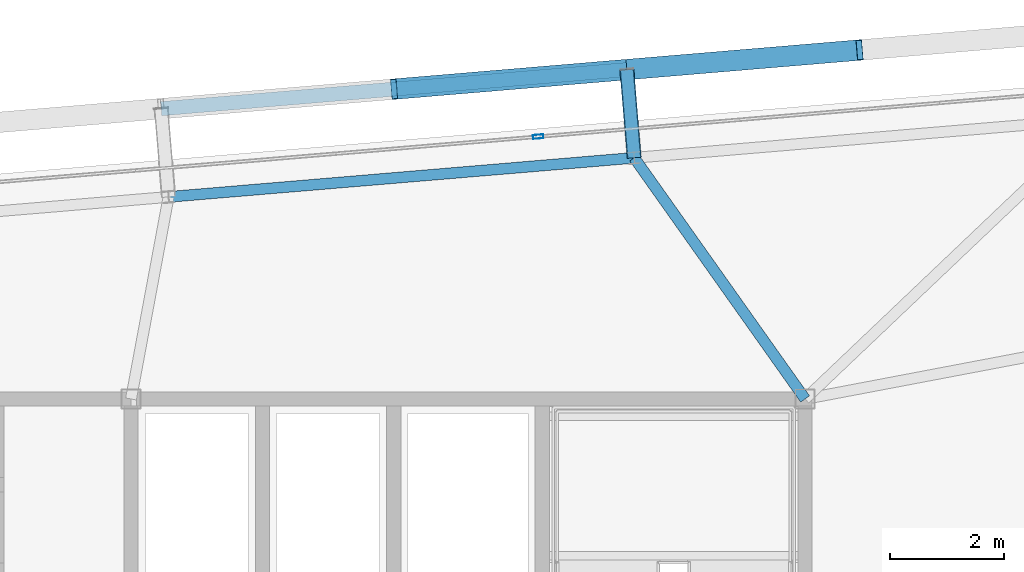
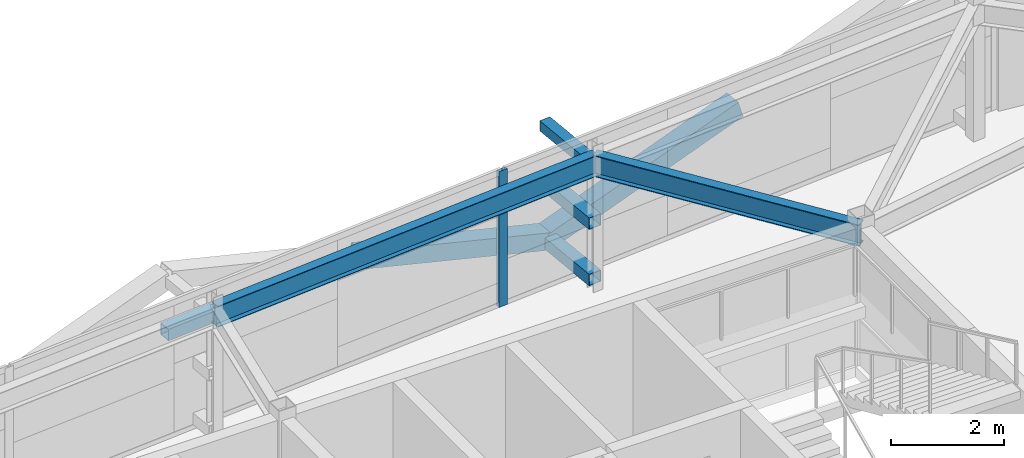
# One storey, part 24 of 39: 7 members, 2 beams, 1 element without a shape of its own.
"""IFC4 building model written with IfcOpenShell, lengths in metres."""

from ifc_helpers import new_model, si_unit, direction, frame, origin, origin_2d, place, context, subcontext, project, spatial, hollow_rectangle, i_section, extrude, source, transform, mapped, material, layer, layer_set, material_profile, profile_set, type_object, element, aggregate, save


model = new_model("IFC4")

# Units and contexts
model_context = context("Model", 3, precision=1e-05, world=origin(), true_north=direction((0.0, 1.0)))
body_context = subcontext(model_context, "Body", "Model", "MODEL_VIEW")
ifc_project = project(units=[si_unit("LENGTHUNIT", "METRE"), si_unit("AREAUNIT", "SQUARE_METRE"), si_unit("VOLUMEUNIT", "CUBIC_METRE"), si_unit("PLANEANGLEUNIT", "RADIAN"), si_unit("MASSUNIT", "GRAM", prefix="KILO")], contexts=[model_context])

# Site, building, storey
site_placement = place(None, origin())
site = spatial("IfcSite", under=ifc_project, at=site_placement, CompositionType="ELEMENT")
building_placement = place(site_placement, origin())
building = spatial("IfcBuilding", under=site, at=building_placement, Name="Taldren Reach Tower", CompositionType="ELEMENT")
storey_placement = place(building_placement, frame((0.0, 0.0, 178.85009765625)))
storey = spatial("IfcBuildingStorey", under=building, at=storey_placement, Name="L54", CompositionType="ELEMENT", Elevation=178.85009765625)

# Members
ifc_material_1 = material(Name="Steel Gr 350 (C350L0)", Category="steel")
ifc_material_profile_1 = material_profile(ifc_material_1, hollow_rectangle(XDim=0.25, YDim=0.25, WallThickness=0.010009765625, at=origin_2d()), Name="250x250x10.0SHS")
ifc_profile_set_1 = profile_set([ifc_material_profile_1], Name="Steel Gr 350 (C350L0)")
member_type_1 = type_object("IfcMemberType", Name="MB-POST250", PredefinedType="POST", material=ifc_profile_set_1)
shared_shape_1 = source(origin(), body_context, "Body", "SweptSolid", [
    extrude(hollow_rectangle(XDim=0.25, YDim=0.25, WallThickness=0.010009765625, at=origin_2d()), origin(), (0.0, 0.0, 1.0), 1.550048828125),
])
for number, where, z_axis, x_axis, name in (
    (1, (48.009033203125, 36.221435546875, 0.219970703125), (-0.083632013783, 0.996496706603, 0.0), (-0.996496706603, -0.083632013783, 0.0), "Exoskeleton base diaphragm tie strut B4-N5 L54"),
    (2, (48.009033203125, 36.221435546875, 1.434814453125), (-0.083632013783, 0.996496706603, 0.0), (-0.996496706603, -0.083632013783, 0.0), "Exoskeleton mid-tier diaphragm tie B4-N5 L54"),
):
    element("IfcMember", number, at=place(storey_placement, frame(where, z_axis=z_axis, x_axis=x_axis)), inside=storey, type_object=member_type_1, Name=name, PredefinedType="POST", context=body_context, shape_type="MappedRepresentation", body=[
        mapped(shared_shape_1, transform((0.0, 0.0, 0.0), scale=1.0)),
    ])

# Beams
ifc_material_2 = material(Name="Steel Gr 350 (350PLUS)", Category="steel")
ifc_material_profile_2 = material_profile(ifc_material_2, i_section(OverallWidth=0.18994140625, OverallDepth=0.4541015625, WebThickness=0.008544921875, FlangeThickness=0.0126953125, at=origin_2d()), Name="460UB67.1")
ifc_profile_set_2 = profile_set([ifc_material_profile_2], Name="Steel Gr 350 (350PLUS)")
beam_type_1 = type_object("IfcBeamType", Name="SP-UB460B", PredefinedType="SPANDREL", material=ifc_profile_set_2)
shared_shape_2 = source(origin(), body_context, "Body", "SweptSolid", [
    extrude(i_section(OverallWidth=0.18994140625, OverallDepth=0.4541015625, WebThickness=0.008544921875, FlangeThickness=0.0126953125, at=origin_2d()), origin(), (0.0, 0.0, 1.0), 8.179931640625),
])
beam_1_placement = place(storey_placement, frame((48.009033203125, 36.221435546875, 2.702880859375), z_axis=(-0.996494523218, -0.083658025296, 0.0), x_axis=(0.083658025296, -0.996494523218, 0.0)))
element("IfcBeam", 3, at=beam_1_placement, inside=storey, type_object=beam_type_1, Name="Perimeter spandrel B4 N5-N4 L54", PredefinedType="SPANDREL", context=body_context, shape_type="MappedRepresentation", body=[
    mapped(shared_shape_2, transform((0.0, 0.0, 0.0), scale=1.0)),
])
ifc_material_profile_3 = material_profile(ifc_material_2, i_section(OverallWidth=0.19091796875, OverallDepth=0.4599609375, WebThickness=0.010009765625, FlangeThickness=0.01611328125, at=origin_2d()), Name="460UB82.1")
ifc_profile_set_3 = profile_set([ifc_material_profile_3], Name="Steel Gr 350 (350PLUS)")
beam_type_2 = type_object("IfcBeamType", Name="BM-UB460A", PredefinedType="BEAM", material=ifc_profile_set_3)
shared_shape_3 = source(origin(), body_context, "Body", "SweptSolid", [
    extrude(i_section(OverallWidth=0.19091796875, OverallDepth=0.4599609375, WebThickness=0.010009765625, FlangeThickness=0.01611328125, at=origin_2d()), origin(), (0.0, 0.0, 1.0), 5.173583984375),
])
beam_2_placement = place(storey_placement, frame((51.0, 32.0, 2.699951171875), z_axis=(-0.578118152709, 0.8159530633, 0.0), x_axis=(-0.8159530633, -0.578118152709, 0.0)))
element("IfcBeam", 4, at=beam_2_placement, inside=storey, type_object=beam_type_2, Name="Primary floor girder B4-N5 L54", PredefinedType="BEAM", context=body_context, shape_type="MappedRepresentation", body=[
    mapped(shared_shape_3, transform((0.0, 0.0, 0.0), scale=1.0)),
])

# Members
ifc_material_3 = material(Name="Steel Gr 450 (C450L0)", Category="steel")
ifc_material_profile_4 = material_profile(ifc_material_3, hollow_rectangle(XDim=0.219970703125, YDim=0.219970703125, WallThickness=0.00830078125, at=origin_2d()), Name="220x220x8.2SHS")
ifc_profile_set_4 = profile_set([ifc_material_profile_4], Name="Steel Gr 450 (C450L0)")
member_type_2 = type_object("IfcMemberType", Name="MB-TIE219", PredefinedType="STRUT", material=ifc_profile_set_4)
shared_shape_4 = source(origin(), body_context, "Body", "SweptSolid", [
    extrude(hollow_rectangle(XDim=0.219970703125, YDim=0.219970703125, WallThickness=0.00830078125, at=origin_2d()), origin(), (0.0, 0.0, 1.0), 1.550048828125),
])
member_1_placement = place(storey_placement, frame((48.009033203125, 36.221435546875, 2.64990234375), z_axis=(-0.083632013783, 0.996496706603, 0.0), x_axis=(-0.996496706603, -0.083632013783, 0.0)))
element("IfcMember", 5, at=member_1_placement, inside=storey, type_object=member_type_2, Name="Exoskeleton diaphragm tie strut B4-N5 L54", PredefinedType="STRUT", context=body_context, shape_type="MappedRepresentation", body=[
    mapped(shared_shape_4, transform((0.0, 0.0, 0.0), scale=1.0)),
])
shared_shape_5 = source(origin(), body_context, "Body", "SweptSolid", [
    extrude(hollow_rectangle(XDim=0.25, YDim=0.25, WallThickness=0.010009765625, at=origin_2d()), origin(), (0.0, 0.0, 1.0), 8.18017578125),
])
member_2_placement = place(storey_placement, frame((39.72802734375, 37.08154296875, 1.434814453125), z_axis=(0.996492034688, 0.083687662192, 0.0), x_axis=(-0.083687662192, 0.996492034688, 0.0)))
element("IfcMember", 6, at=member_2_placement, inside=storey, type_object=member_type_1, Name="Exoskeleton mid-height ring chord B4-N4 L54", PredefinedType="POST", context=body_context, shape_type="MappedRepresentation", body=[
    mapped(shared_shape_5, transform((0.0, 0.0, 0.0), scale=1.0)),
])
ifc_material_profile_5 = material_profile(ifc_material_3, hollow_rectangle(XDim=0.360107421875, YDim=0.360107421875, WallThickness=0.0126953125, at=origin_2d()), Name="360x360x12.7SHS")
ifc_profile_set_5 = profile_set([ifc_material_profile_5], Name="Steel Gr 450 (C450L0)")
member_type_3 = type_object("IfcMemberType", Name="MB-EXO356", PredefinedType="BRACE", material=ifc_profile_set_5)
shared_shape_6 = source(origin(), body_context, "Body", "SweptSolid", [
    extrude(hollow_rectangle(XDim=0.360107421875, YDim=0.360107421875, WallThickness=0.0126953125, at=origin_2d()), origin(), (0.0, 0.0, 1.0), 4.2666015625),
])
for number, where, z_axis, x_axis, name in (
    (7, (47.87939453125, 37.76611328125, 0.219970703125), (-0.955244723646, -0.080223619417, 0.284730906006), (0.083687662192, -0.996492034688, 0.0), "Exoskeleton Diagrid Brace B4-N4 L54"),
    (8, (47.87939453125, 37.76611328125, 0.219970703125), (0.955244723646, 0.080223619417, 0.284730906006), (-0.083687662192, 0.996492034688, 0.0), "Exoskeleton Diagrid Brace B4-N5 L54"),
):
    element("IfcMember", number, at=place(storey_placement, frame(where, z_axis=z_axis, x_axis=x_axis)), inside=storey, type_object=member_type_3, Name=name, PredefinedType="BRACE", context=body_context, shape_type="MappedRepresentation", body=[
        mapped(shared_shape_6, transform((0.0, 0.0, 0.0), scale=1.0)),
    ])

# Curtain wall, member
ifc_material_4 = material(Name="Aluminium and Low-E Glass Unitised System", Category="aluminium")
ifc_layer = layer(ifc_material_4, 0.159912109375)
ifc_layer_set = layer_set([ifc_layer], Name="Aluminium and Low-E Glass Unitised System")
curtain_wall_type = type_object("IfcCurtainWallType", Name="CW-SYS-5", PredefinedType="NOTDEFINED", material=ifc_layer_set)
curtain_wall_placement = place(storey_placement, origin())
curtain_wall = element("IfcCurtainWall", 9, at=curtain_wall_placement, inside=storey, type_object=curtain_wall_type, Name="Unitised curtain wall CW-L54-N", PredefinedType="NOTDEFINED")
ifc_material_5 = material(Name="Anodised Aluminium 6063-T6", Category="aluminium")
ifc_material_profile_6 = material_profile(ifc_material_5, hollow_rectangle(XDim=0.070068359375, YDim=0.179931640625, WallThickness=0.00390625, at=origin_2d()), Name="ALU-180x70x4RHS")
ifc_profile_set_6 = profile_set([ifc_material_profile_6], Name="Anodised Aluminium 6063-T6")
member_type_4 = type_object("IfcMemberType", Name="CW-MUL-180", PredefinedType="MULLION", material=ifc_profile_set_6)
shared_shape_7 = source(origin(), body_context, "Body", "SweptSolid", [
    extrude(hollow_rectangle(XDim=0.070068359375, YDim=0.179931640625, WallThickness=0.00390625, at=origin_2d()), origin(), (0.0, 0.0, 1.0), 2.929931640625),
])
member_3_placement = place(storey_placement, frame((46.3271484375, 36.592041015625, 0.0), z_axis=(0.0, 0.0, 1.0), x_axis=(0.083677875247, -0.99649285657, 0.0)))
member_3 = element("IfcMember", 10, at=member_3_placement, type_object=member_type_4, Name="CW-5 mullion 2", PredefinedType="MULLION", context=body_context, shape_type="MappedRepresentation", body=[
    mapped(shared_shape_7, transform((0.0, 0.0, 0.0), scale=1.0)),
])
aggregate(curtain_wall, [member_3])

save(model, "model.ifc")
